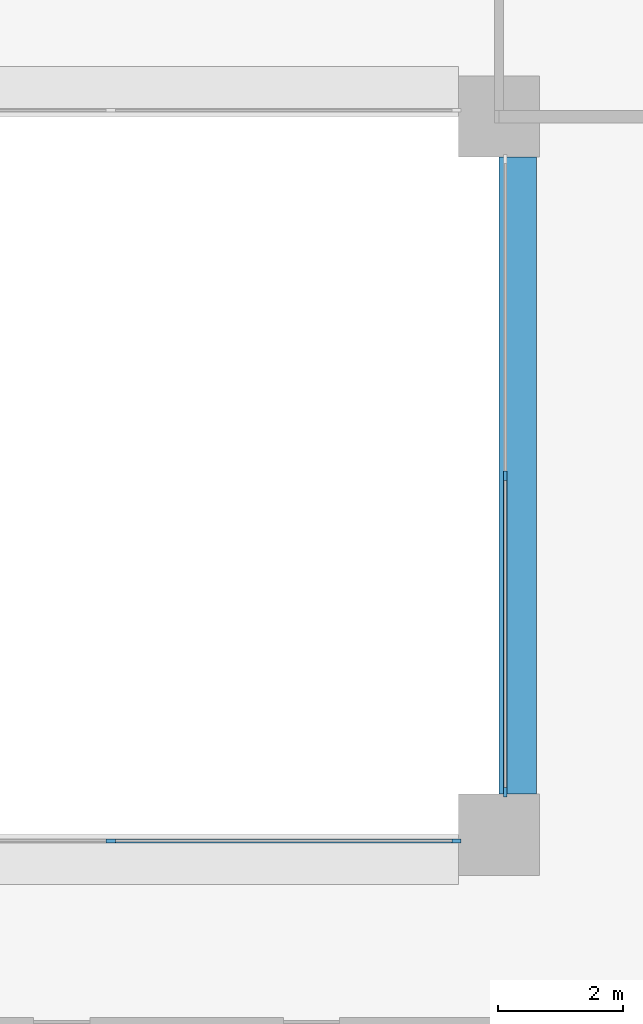
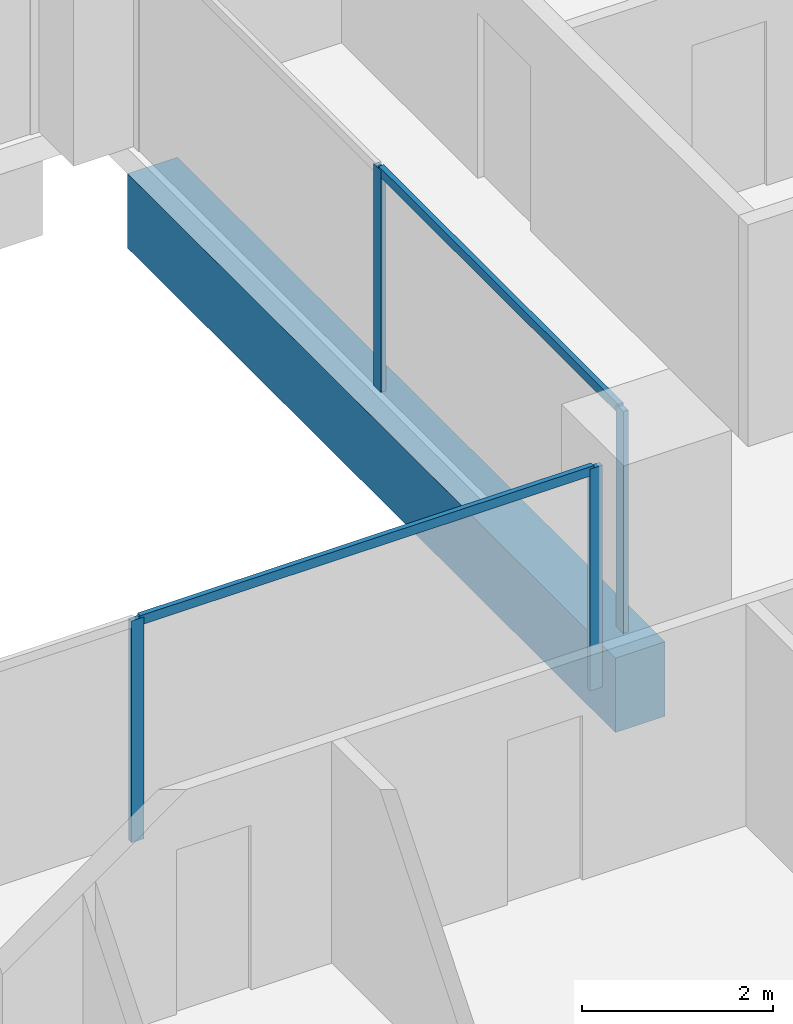
# One storey, part 4 of 16: 6 members, 1 beam, 2 elements without a shape of their own.
"""IFC4 building model written with IfcOpenShell, lengths in metres."""

from ifc_helpers import new_model, si_unit, direction, frame, origin, origin_2d, place, context, subcontext, project, spatial, rectangle, extrude, material, layer, layer_set, material_profile, profile_set, type_object, element, aggregate, save


model = new_model("IFC4")

# Units and contexts
model_context = context("Model", 3, precision=1e-05, world=origin(), true_north=direction((0.0, 1.0)))
body_context = subcontext(model_context, "Body", "Model", "MODEL_VIEW")
ifc_project = project(units=[si_unit("LENGTHUNIT", "METRE"), si_unit("AREAUNIT", "SQUARE_METRE"), si_unit("VOLUMEUNIT", "CUBIC_METRE"), si_unit("PLANEANGLEUNIT", "RADIAN"), si_unit("MASSUNIT", "GRAM", prefix="KILO")], contexts=[model_context])

# Site, building, storey
site_placement = place(None, origin())
site = spatial("IfcSite", under=ifc_project, at=site_placement, CompositionType="ELEMENT")
building_placement = place(site_placement, origin())
building = spatial("IfcBuilding", under=site, at=building_placement, Name="Brigalow Station Residences", CompositionType="ELEMENT")
storey_placement = place(building_placement, frame((0.0, 0.0, 102.449951171875)))
storey = spatial("IfcBuildingStorey", under=building, at=storey_placement, Name="L29", CompositionType="ELEMENT", Elevation=102.449951171875)

# Beam
ifc_material_1 = material(Name="Concrete C65", Category="concrete")
ifc_material_profile_1 = material_profile(ifc_material_1, rectangle(XDim=0.60009765625, YDim=0.949951171875, at=origin_2d()), Name="RC600x950")
ifc_profile_set_1 = profile_set([ifc_material_profile_1], Name="Concrete C65")
beam_type = type_object("IfcBeamType", Name="ATRIUM EDGE GIRDER 600x950 C65", PredefinedType="BEAM", material=ifc_profile_set_1)
beam_placement = place(storey_placement, frame((45.300048828125, 24.64990234375, -0.794921875), z_axis=(0.0, 1.0, 0.0), x_axis=(-1.0, 0.0, 0.0)))
element("IfcBeam", 1, at=beam_placement, inside=storey, type_object=beam_type, Name="ATRIUM EDGE GIRDER 5 L29", PredefinedType="BEAM", context=body_context, shape_type="SweptSolid", body=[
    extrude(rectangle(XDim=0.60009765625, YDim=0.949951171875, at=origin_2d()), origin(), (0.0, 0.0, 1.0), 10.2001953125),
])

# Curtain wall, members
ifc_material_2 = material(Name="Aluminium", Category="aluminium")
ifc_layer = layer(ifc_material_2, 0.14990234375)
ifc_layer_set = layer_set([ifc_layer], Name="ATRIUM FIRE-RATED GLAZING CURTAIN WALL")
curtain_wall_type = type_object("IfcCurtainWallType", Name="ATRIUM FIRE-RATED GLAZING CURTAIN WALL", PredefinedType="NOTDEFINED", material=ifc_layer_set)
curtain_wall_1_placement = place(storey_placement, origin())
curtain_wall_1 = element("IfcCurtainWall", 2, at=curtain_wall_1_placement, inside=storey, type_object=curtain_wall_type, Name="L29/cw/atrium-S", PredefinedType="NOTDEFINED")
ifc_material_3 = material(Name="Aluminium", Category="aluminium")
ifc_material_profile_2 = material_profile(ifc_material_3, rectangle(XDim=0.06005859375, YDim=0.14990234375, at=origin_2d()), Name="ATRIUM FIRE-RATED GLAZING MULLION 60x150")
ifc_profile_set_2 = profile_set([ifc_material_profile_2], Name="Aluminium")
member_type_1 = type_object("IfcMemberType", Name="ATRIUM FIRE-RATED GLAZING MULLION 60x150", PredefinedType="MULLION", material=ifc_profile_set_2)
member_1_placement = place(storey_placement, frame((38.783203125, 23.89990234375, 0.0), z_axis=(0.0, 0.0, 1.0), x_axis=(0.0, 1.0, 0.0)))
member_1 = element("IfcMember", 3, at=member_1_placement, type_object=member_type_1, Name="L29/cw/atrium-S/M02", PredefinedType="MULLION", context=body_context, shape_type="SweptSolid", body=[
    extrude(rectangle(XDim=0.06005859375, YDim=0.14990234375, at=origin_2d()), origin(), (0.0, 0.0, 1.0), 2.830078125),
])
member_2_placement = place(storey_placement, frame((44.320068359375, 23.89990234375, 0.0), z_axis=(0.0, 0.0, 1.0), x_axis=(0.0, 1.0, 0.0)))
member_2 = element("IfcMember", 4, at=member_2_placement, type_object=member_type_1, Name="L29/cw/atrium-S/M03", PredefinedType="MULLION", context=body_context, shape_type="SweptSolid", body=[
    extrude(rectangle(XDim=0.06005859375, YDim=0.14990234375, at=origin_2d()), origin(), (0.0, 0.0, 1.0), 2.830078125),
])

curtain_wall_2_placement = place(storey_placement, origin())
curtain_wall_2 = element("IfcCurtainWall", 5, at=curtain_wall_2_placement, inside=storey, type_object=curtain_wall_type, Name="L29/cw/atrium-E", PredefinedType="NOTDEFINED")
member_3_placement = place(storey_placement, frame((45.10009765625, 24.679931640625, 0.0), z_axis=(0.0, 0.0, 1.0), x_axis=(-1.0, 0.0, 0.0)))
member_3 = element("IfcMember", 6, at=member_3_placement, type_object=member_type_1, Name="L29/cw/atrium-E/M00", PredefinedType="MULLION", context=body_context, shape_type="SweptSolid", body=[
    extrude(rectangle(XDim=0.06005859375, YDim=0.14990234375, at=origin_2d()), origin(), (0.0, 0.0, 1.0), 2.830078125),
])
member_4_placement = place(storey_placement, frame((45.10009765625, 29.75, 0.0), z_axis=(0.0, 0.0, 1.0), x_axis=(-1.0, 0.0, 0.0)))
member_4 = element("IfcMember", 7, at=member_4_placement, type_object=member_type_1, Name="L29/cw/atrium-E/M01", PredefinedType="MULLION", context=body_context, shape_type="SweptSolid", body=[
    extrude(rectangle(XDim=0.06005859375, YDim=0.14990234375, at=origin_2d()), origin(), (0.0, 0.0, 1.0), 2.830078125),
])

# Member
ifc_material_4 = material(Name="Aluminium", Category="aluminium")
ifc_material_profile_3 = material_profile(ifc_material_4, rectangle(XDim=0.06005859375, YDim=0.1201171875, at=origin_2d()), Name="ATRIUM FIRE-RATED GLAZING TRANSOM 60x120")
ifc_profile_set_3 = profile_set([ifc_material_profile_3], Name="Aluminium")
member_type_2 = type_object("IfcMemberType", Name="ATRIUM FIRE-RATED GLAZING TRANSOM 60x120", PredefinedType="USERDEFINED", material=ifc_profile_set_3)
member_5_placement = place(storey_placement, frame((38.813232421875, 23.89990234375, 2.800048828125), z_axis=(1.0, 0.0, 0.0), x_axis=(0.0, 1.0, 0.0)))
member_5 = element("IfcMember", 8, at=member_5_placement, type_object=member_type_2, Name="L29/cw/atrium-S/T02-00", ObjectType="TRANSOM", PredefinedType="USERDEFINED", context=body_context, shape_type="SweptSolid", body=[
    extrude(rectangle(XDim=0.06005859375, YDim=0.1201171875, at=origin_2d()), origin(), (0.0, 0.0, 1.0), 5.476806640625),
])

aggregate(curtain_wall_1, [member_1, member_2, member_5])

member_6_placement = place(storey_placement, frame((45.10009765625, 24.7099609375, 2.800048828125), z_axis=(0.0, 1.0, 0.0), x_axis=(-1.0, 0.0, 0.0)))
member_6 = element("IfcMember", 9, at=member_6_placement, type_object=member_type_2, Name="L29/cw/atrium-E/T00-00", ObjectType="TRANSOM", PredefinedType="USERDEFINED", context=body_context, shape_type="SweptSolid", body=[
    extrude(rectangle(XDim=0.06005859375, YDim=0.1201171875, at=origin_2d()), origin(), (0.0, 0.0, 1.0), 5.010009765625),
])

aggregate(curtain_wall_2, [member_3, member_4, member_6])

save(model, "model.ifc")
